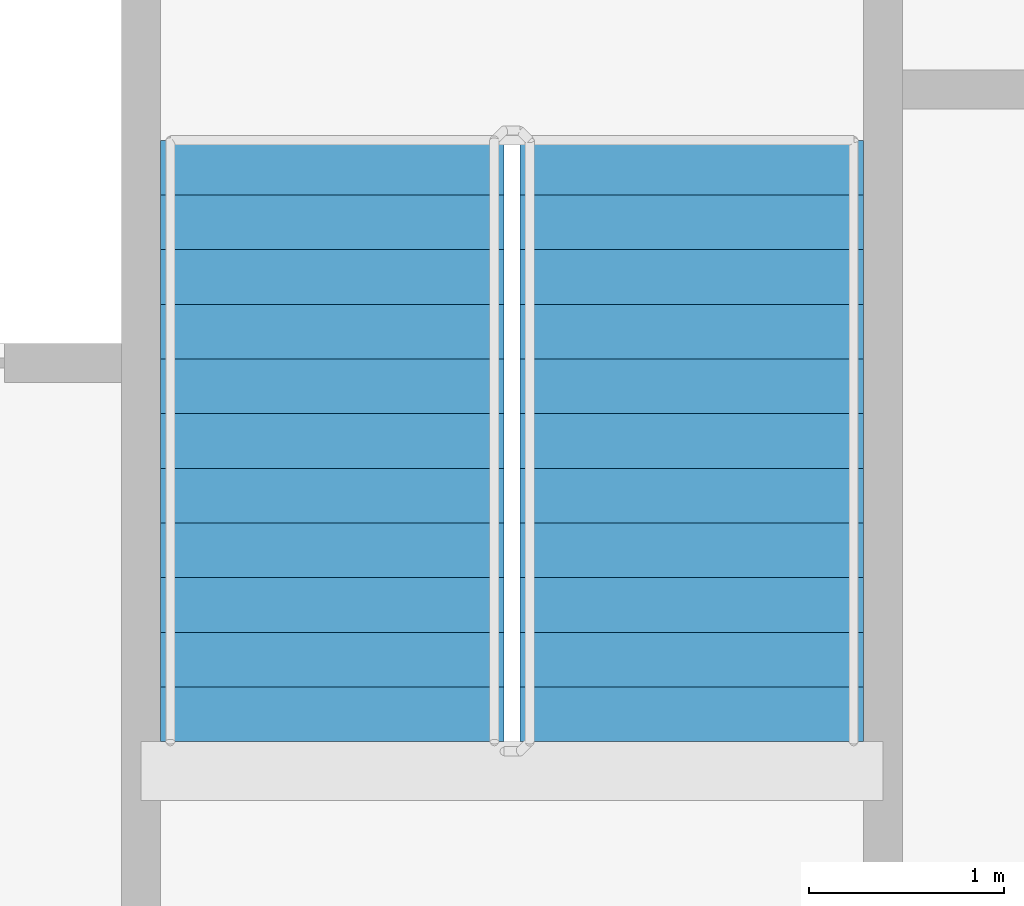
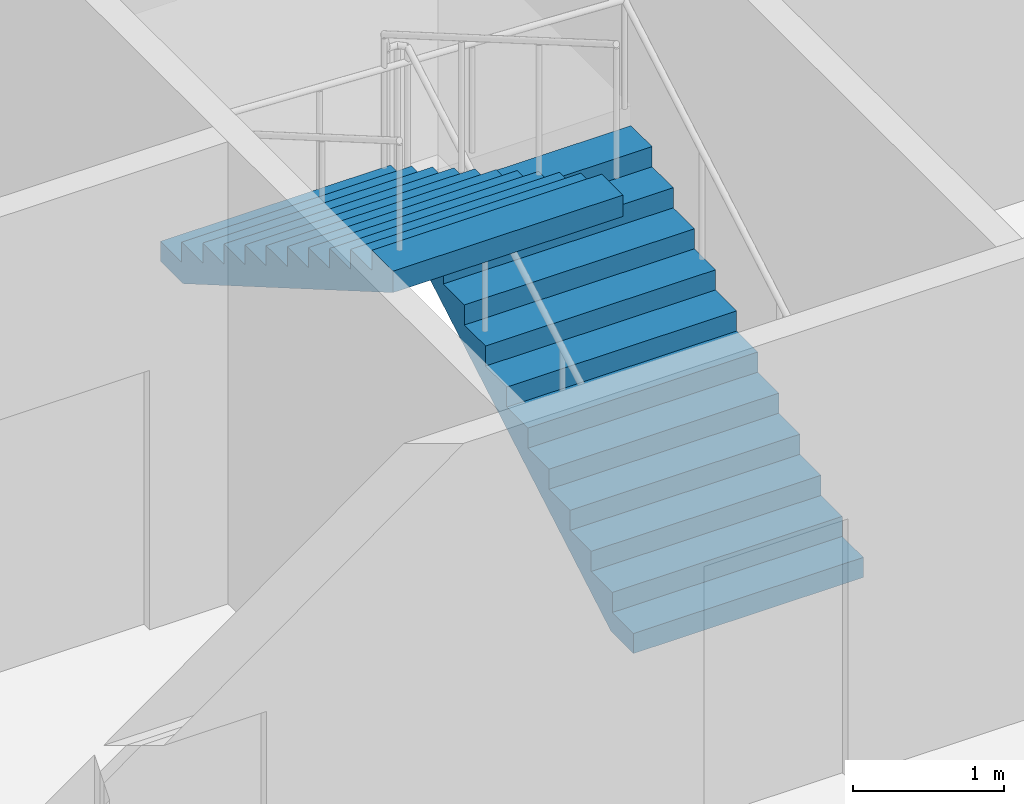
# One storey, part 10 of 15: 2 stair flights, 1 element without a shape of its own.
"""IFC4 building model written with IfcOpenShell, lengths in metres."""

from ifc_helpers import new_model, si_unit, direction, frame, origin, place, context, subcontext, project, spatial, faceted_brep, material, type_object, element, aggregate, save


model = new_model("IFC4")

# Units and contexts
model_context = context("Model", 3, precision=1e-05, world=origin(), true_north=direction((0.0, 1.0)))
body_context = subcontext(model_context, "Body", "Model", "MODEL_VIEW")
ifc_project = project(units=[si_unit("LENGTHUNIT", "METRE"), si_unit("AREAUNIT", "SQUARE_METRE"), si_unit("VOLUMEUNIT", "CUBIC_METRE"), si_unit("PLANEANGLEUNIT", "RADIAN"), si_unit("MASSUNIT", "GRAM", prefix="KILO")], contexts=[model_context])

# Site, building, storey
site_placement = place(None, origin())
site = spatial("IfcSite", under=ifc_project, at=site_placement, CompositionType="ELEMENT")
building_placement = place(site_placement, origin())
building = spatial("IfcBuilding", under=site, at=building_placement, Name="Tarsis Ring Headquarters", CompositionType="ELEMENT")
storey_placement = place(building_placement, frame((0.0, 0.0, 204.300048828125)))
storey = spatial("IfcBuildingStorey", under=building, at=storey_placement, Name="L47", CompositionType="ELEMENT", Elevation=204.300048828125)

# Stair, stair flights
ifc_material_1 = material(Name="Core stair 1760")
stair_type = type_object("IfcStairType", Name="Core stair 1760", PredefinedType="HALF_TURN_STAIR", material=ifc_material_1)
stair_placement = place(storey_placement, origin())
stair = element("IfcStair", 1, at=stair_placement, inside=storey, type_object=stair_type, Name="L47 Exit stair B", PredefinedType="HALF_TURN_STAIR")
ifc_material_2 = material(Name="Concrete C40/50", Category="concrete")
stair_flight_type = type_object("IfcStairFlightType", Name="Core stair flight 1760", PredefinedType="STRAIGHT", material=ifc_material_2)
stair_flight_1_placement = place(storey_placement, frame((5.419921875, 3.659912109375, 0.0), z_axis=(0.0, 0.0, 1.0), x_axis=(0.0, 1.0, 0.0)))
stair_flight_1 = element("IfcStairFlight", 2, at=stair_flight_1_placement, type_object=stair_flight_type, Name="Stair ST2 flight 1", NumberOfRisers=12, NumberOfTreads=11, PredefinedType="STRAIGHT", RiserHeight=0.1625, TreadLength=0.28, context=body_context, shape_type="Brep", body=[
    faceted_brep([(0.0, 0.8798828125, 0.0), (0.0, 0.8798828125, 0.16259765625), (0.280029296875, 0.8798828125, 0.16259765625), (0.280029296875, 0.8798828125, 0.324951171875), (0.56005859375, 0.8798828125, 0.324951171875), (0.56005859375, 0.8798828125, 0.487548828125), (0.840087890625, 0.8798828125, 0.487548828125), (0.840087890625, 0.8798828125, 0.64990234375), (1.1201171875, 0.8798828125, 0.64990234375), (1.1201171875, 0.8798828125, 0.8125), (1.39990234375, 0.8798828125, 0.8125), (1.39990234375, 0.8798828125, 0.97509765625), (1.679931640625, 0.8798828125, 0.97509765625), (1.679931640625, 0.8798828125, 1.137451171875), (1.9599609375, 0.8798828125, 1.137451171875), (1.9599609375, 0.8798828125, 1.300048828125), (2.239990234375, 0.8798828125, 1.300048828125), (2.239990234375, 0.8798828125, 1.46240234375), (2.52001953125, 0.8798828125, 1.46240234375), (2.52001953125, 0.8798828125, 1.625), (2.800048828125, 0.8798828125, 1.625), (2.800048828125, 0.8798828125, 1.78759765625), (3.080078125, 0.8798828125, 1.78759765625), (3.080078125, 0.8798828125, 1.6142578125), (0.298583984375, 0.8798828125, 0.0), (0.298583984375, -0.8798828125, 0.0), (3.080078125, -0.8798828125, 1.6142578125), (3.080078125, -0.8798828125, 1.78759765625), (2.800048828125, -0.8798828125, 1.78759765625), (2.800048828125, -0.8798828125, 1.625), (2.52001953125, -0.8798828125, 1.625), (2.52001953125, -0.8798828125, 1.46240234375), (2.239990234375, -0.8798828125, 1.46240234375), (2.239990234375, -0.8798828125, 1.300048828125), (1.9599609375, -0.8798828125, 1.300048828125), (1.9599609375, -0.8798828125, 1.137451171875), (1.679931640625, -0.8798828125, 1.137451171875), (1.679931640625, -0.8798828125, 0.97509765625), (1.39990234375, -0.8798828125, 0.97509765625), (1.39990234375, -0.8798828125, 0.8125), (1.1201171875, -0.8798828125, 0.8125), (1.1201171875, -0.8798828125, 0.64990234375), (0.840087890625, -0.8798828125, 0.64990234375), (0.840087890625, -0.8798828125, 0.487548828125), (0.56005859375, -0.8798828125, 0.487548828125), (0.56005859375, -0.8798828125, 0.324951171875), (0.280029296875, -0.8798828125, 0.324951171875), (0.280029296875, -0.8798828125, 0.16259765625), (0.0, -0.8798828125, 0.16259765625), (0.0, -0.8798828125, 0.0), (0.0, -0.43994140625, 0.16259765625), (0.0, -0.43994140625, 0.0), (0.0, 0.0, 0.16259765625), (0.0, 0.0, 0.0), (0.0, 0.43994140625, 0.16259765625), (0.0, 0.43994140625, 0.0), (0.280029296875, -0.43994140625, 0.16259765625), (0.280029296875, 0.0, 0.16259765625), (0.280029296875, 0.43994140625, 0.16259765625), (0.280029296875, -0.43994140625, 0.324951171875), (0.280029296875, 0.0, 0.324951171875), (0.280029296875, 0.43994140625, 0.324951171875), (0.56005859375, -0.43994140625, 0.324951171875), (0.56005859375, 0.0, 0.324951171875), (0.56005859375, 0.43994140625, 0.324951171875), (0.56005859375, -0.43994140625, 0.487548828125), (0.56005859375, 0.0, 0.487548828125), (0.56005859375, 0.43994140625, 0.487548828125), (0.840087890625, -0.43994140625, 0.487548828125), (0.840087890625, 0.0, 0.487548828125), (0.840087890625, 0.43994140625, 0.487548828125), (0.840087890625, -0.43994140625, 0.64990234375), (0.840087890625, 0.0, 0.64990234375), (0.840087890625, 0.43994140625, 0.64990234375), (1.1201171875, -0.43994140625, 0.64990234375), (1.1201171875, 0.0, 0.64990234375), (1.1201171875, 0.43994140625, 0.64990234375), (1.1201171875, -0.43994140625, 0.8125), (1.1201171875, 0.0, 0.8125), (1.1201171875, 0.43994140625, 0.8125), (1.39990234375, -0.43994140625, 0.8125), (1.39990234375, 0.0, 0.8125), (1.39990234375, 0.43994140625, 0.8125), (1.39990234375, -0.43994140625, 0.97509765625), (1.39990234375, 0.0, 0.97509765625), (1.39990234375, 0.43994140625, 0.97509765625), (1.679931640625, -0.43994140625, 0.97509765625), (1.679931640625, 0.0, 0.97509765625), (1.679931640625, 0.43994140625, 0.97509765625), (1.679931640625, -0.43994140625, 1.137451171875), (1.679931640625, 0.0, 1.137451171875), (1.679931640625, 0.43994140625, 1.137451171875), (1.9599609375, -0.43994140625, 1.137451171875), (1.9599609375, 0.0, 1.137451171875), (1.9599609375, 0.43994140625, 1.137451171875), (1.9599609375, -0.43994140625, 1.300048828125), (1.9599609375, 0.0, 1.300048828125), (1.9599609375, 0.43994140625, 1.300048828125), (2.239990234375, -0.43994140625, 1.300048828125), (2.239990234375, 0.0, 1.300048828125), (2.239990234375, 0.43994140625, 1.300048828125), (2.239990234375, -0.43994140625, 1.46240234375), (2.239990234375, 0.0, 1.46240234375), (2.239990234375, 0.43994140625, 1.46240234375), (2.52001953125, -0.43994140625, 1.46240234375), (2.52001953125, 0.0, 1.46240234375), (2.52001953125, 0.43994140625, 1.46240234375), (2.52001953125, -0.43994140625, 1.625), (2.52001953125, 0.0, 1.625), (2.52001953125, 0.43994140625, 1.625), (2.800048828125, -0.43994140625, 1.625), (2.800048828125, 0.0, 1.625), (2.800048828125, 0.43994140625, 1.625), (2.800048828125, -0.43994140625, 1.78759765625), (2.800048828125, 0.0, 1.78759765625), (2.800048828125, 0.43994140625, 1.78759765625), (3.080078125, -0.43994140625, 1.78759765625), (3.080078125, 0.0, 1.78759765625), (3.080078125, 0.43994140625, 1.78759765625), (3.080078125, -0.43994140625, 1.6142578125), (3.080078125, 0.0, 1.6142578125), (3.080078125, 0.43994140625, 1.6142578125), (0.298583984375, -0.43994140625, 0.0), (0.298583984375, 0.0, 0.0), (0.298583984375, 0.43994140625, 0.0)], [[[0, 1, 2, 3, 4, 5, 6, 7, 8, 9, 10, 11, 12, 13, 14, 15, 16, 17, 18, 19, 20, 21, 22, 23, 24]], [[25, 26, 27, 28, 29, 30, 31, 32, 33, 34, 35, 36, 37, 38, 39, 40, 41, 42, 43, 44, 45, 46, 47, 48, 49]], [[49, 48, 50, 51]], [[51, 50, 52, 53]], [[53, 52, 54, 55]], [[55, 54, 1, 0]], [[48, 47, 56, 50]], [[50, 56, 57, 52]], [[52, 57, 58, 54]], [[54, 58, 2, 1]], [[47, 46, 59, 56]], [[56, 59, 60, 57]], [[57, 60, 61, 58]], [[58, 61, 3, 2]], [[46, 45, 62, 59]], [[59, 62, 63, 60]], [[60, 63, 64, 61]], [[61, 64, 4, 3]], [[45, 44, 65, 62]], [[62, 65, 66, 63]], [[63, 66, 67, 64]], [[64, 67, 5, 4]], [[44, 43, 68, 65]], [[65, 68, 69, 66]], [[66, 69, 70, 67]], [[67, 70, 6, 5]], [[43, 42, 71, 68]], [[68, 71, 72, 69]], [[69, 72, 73, 70]], [[70, 73, 7, 6]], [[42, 41, 74, 71]], [[71, 74, 75, 72]], [[72, 75, 76, 73]], [[73, 76, 8, 7]], [[41, 40, 77, 74]], [[74, 77, 78, 75]], [[75, 78, 79, 76]], [[76, 79, 9, 8]], [[40, 39, 80, 77]], [[77, 80, 81, 78]], [[78, 81, 82, 79]], [[79, 82, 10, 9]], [[39, 38, 83, 80]], [[80, 83, 84, 81]], [[81, 84, 85, 82]], [[82, 85, 11, 10]], [[38, 37, 86, 83]], [[83, 86, 87, 84]], [[84, 87, 88, 85]], [[85, 88, 12, 11]], [[37, 36, 89, 86]], [[86, 89, 90, 87]], [[87, 90, 91, 88]], [[88, 91, 13, 12]], [[36, 35, 92, 89]], [[89, 92, 93, 90]], [[90, 93, 94, 91]], [[91, 94, 14, 13]], [[35, 34, 95, 92]], [[92, 95, 96, 93]], [[93, 96, 97, 94]], [[94, 97, 15, 14]], [[34, 33, 98, 95]], [[95, 98, 99, 96]], [[96, 99, 100, 97]], [[97, 100, 16, 15]], [[33, 32, 101, 98]], [[98, 101, 102, 99]], [[99, 102, 103, 100]], [[100, 103, 17, 16]], [[32, 31, 104, 101]], [[101, 104, 105, 102]], [[102, 105, 106, 103]], [[103, 106, 18, 17]], [[31, 30, 107, 104]], [[104, 107, 108, 105]], [[105, 108, 109, 106]], [[106, 109, 19, 18]], [[30, 29, 110, 107]], [[107, 110, 111, 108]], [[108, 111, 112, 109]], [[109, 112, 20, 19]], [[29, 28, 113, 110]], [[110, 113, 114, 111]], [[111, 114, 115, 112]], [[112, 115, 21, 20]], [[28, 27, 116, 113]], [[113, 116, 117, 114]], [[114, 117, 118, 115]], [[115, 118, 22, 21]], [[27, 26, 119, 116]], [[116, 119, 120, 117]], [[117, 120, 121, 118]], [[118, 121, 23, 22]], [[26, 25, 122, 119]], [[119, 122, 123, 120]], [[120, 123, 124, 121]], [[121, 124, 24, 23]], [[25, 49, 51, 122]], [[122, 51, 53, 123]], [[123, 53, 55, 124]], [[124, 55, 0, 24]]]),
])
stair_flight_2_placement = place(storey_placement, frame((3.580078125, 6.739990234375, 1.949951171875), z_axis=(0.0, 0.0, 1.0), x_axis=(0.0, -1.0, 0.0)))
stair_flight_2 = element("IfcStairFlight", 3, at=stair_flight_2_placement, type_object=stair_flight_type, Name="Stair ST2 flight 2", NumberOfRisers=12, NumberOfTreads=11, PredefinedType="STRAIGHT", RiserHeight=0.1625, TreadLength=0.28, context=body_context, shape_type="Brep", body=[
    faceted_brep([(0.0, 0.8798828125, 0.0), (0.0, 0.8798828125, 0.16259765625), (0.280029296875, 0.8798828125, 0.16259765625), (0.280029296875, 0.8798828125, 0.324951171875), (0.56005859375, 0.8798828125, 0.324951171875), (0.56005859375, 0.8798828125, 0.487548828125), (0.840087890625, 0.8798828125, 0.487548828125), (0.840087890625, 0.8798828125, 0.64990234375), (1.1201171875, 0.8798828125, 0.64990234375), (1.1201171875, 0.8798828125, 0.8125), (1.39990234375, 0.8798828125, 0.8125), (1.39990234375, 0.8798828125, 0.97509765625), (1.679931640625, 0.8798828125, 0.97509765625), (1.679931640625, 0.8798828125, 1.137451171875), (1.9599609375, 0.8798828125, 1.137451171875), (1.9599609375, 0.8798828125, 1.300048828125), (2.239990234375, 0.8798828125, 1.300048828125), (2.239990234375, 0.8798828125, 1.46240234375), (2.52001953125, 0.8798828125, 1.46240234375), (2.52001953125, 0.8798828125, 1.625), (2.800048828125, 0.8798828125, 1.625), (2.800048828125, 0.8798828125, 1.78759765625), (3.080078125, 0.8798828125, 1.78759765625), (3.080078125, 0.8798828125, 1.6142578125), (0.298583984375, 0.8798828125, 0.0), (0.298583984375, -0.8798828125, 0.0), (3.080078125, -0.8798828125, 1.6142578125), (3.080078125, -0.8798828125, 1.78759765625), (2.800048828125, -0.8798828125, 1.78759765625), (2.800048828125, -0.8798828125, 1.625), (2.52001953125, -0.8798828125, 1.625), (2.52001953125, -0.8798828125, 1.46240234375), (2.239990234375, -0.8798828125, 1.46240234375), (2.239990234375, -0.8798828125, 1.300048828125), (1.9599609375, -0.8798828125, 1.300048828125), (1.9599609375, -0.8798828125, 1.137451171875), (1.679931640625, -0.8798828125, 1.137451171875), (1.679931640625, -0.8798828125, 0.97509765625), (1.39990234375, -0.8798828125, 0.97509765625), (1.39990234375, -0.8798828125, 0.8125), (1.1201171875, -0.8798828125, 0.8125), (1.1201171875, -0.8798828125, 0.64990234375), (0.840087890625, -0.8798828125, 0.64990234375), (0.840087890625, -0.8798828125, 0.487548828125), (0.56005859375, -0.8798828125, 0.487548828125), (0.56005859375, -0.8798828125, 0.324951171875), (0.280029296875, -0.8798828125, 0.324951171875), (0.280029296875, -0.8798828125, 0.16259765625), (0.0, -0.8798828125, 0.16259765625), (0.0, -0.8798828125, 0.0), (0.0, -0.43994140625, 0.16259765625), (0.0, -0.43994140625, 0.0), (0.0, 0.0, 0.16259765625), (0.0, 0.0, 0.0), (0.0, 0.43994140625, 0.16259765625), (0.0, 0.43994140625, 0.0), (0.280029296875, -0.43994140625, 0.16259765625), (0.280029296875, 0.0, 0.16259765625), (0.280029296875, 0.43994140625, 0.16259765625), (0.280029296875, -0.43994140625, 0.324951171875), (0.280029296875, 0.0, 0.324951171875), (0.280029296875, 0.43994140625, 0.324951171875), (0.56005859375, -0.43994140625, 0.324951171875), (0.56005859375, 0.0, 0.324951171875), (0.56005859375, 0.43994140625, 0.324951171875), (0.56005859375, -0.43994140625, 0.487548828125), (0.56005859375, 0.0, 0.487548828125), (0.56005859375, 0.43994140625, 0.487548828125), (0.840087890625, -0.43994140625, 0.487548828125), (0.840087890625, 0.0, 0.487548828125), (0.840087890625, 0.43994140625, 0.487548828125), (0.840087890625, -0.43994140625, 0.64990234375), (0.840087890625, 0.0, 0.64990234375), (0.840087890625, 0.43994140625, 0.64990234375), (1.1201171875, -0.43994140625, 0.64990234375), (1.1201171875, 0.0, 0.64990234375), (1.1201171875, 0.43994140625, 0.64990234375), (1.1201171875, -0.43994140625, 0.8125), (1.1201171875, 0.0, 0.8125), (1.1201171875, 0.43994140625, 0.8125), (1.39990234375, -0.43994140625, 0.8125), (1.39990234375, 0.0, 0.8125), (1.39990234375, 0.43994140625, 0.8125), (1.39990234375, -0.43994140625, 0.97509765625), (1.39990234375, 0.0, 0.97509765625), (1.39990234375, 0.43994140625, 0.97509765625), (1.679931640625, -0.43994140625, 0.97509765625), (1.679931640625, 0.0, 0.97509765625), (1.679931640625, 0.43994140625, 0.97509765625), (1.679931640625, -0.43994140625, 1.137451171875), (1.679931640625, 0.0, 1.137451171875), (1.679931640625, 0.43994140625, 1.137451171875), (1.9599609375, -0.43994140625, 1.137451171875), (1.9599609375, 0.0, 1.137451171875), (1.9599609375, 0.43994140625, 1.137451171875), (1.9599609375, -0.43994140625, 1.300048828125), (1.9599609375, 0.0, 1.300048828125), (1.9599609375, 0.43994140625, 1.300048828125), (2.239990234375, -0.43994140625, 1.300048828125), (2.239990234375, 0.0, 1.300048828125), (2.239990234375, 0.43994140625, 1.300048828125), (2.239990234375, -0.43994140625, 1.46240234375), (2.239990234375, 0.0, 1.46240234375), (2.239990234375, 0.43994140625, 1.46240234375), (2.52001953125, -0.43994140625, 1.46240234375), (2.52001953125, 0.0, 1.46240234375), (2.52001953125, 0.43994140625, 1.46240234375), (2.52001953125, -0.43994140625, 1.625), (2.52001953125, 0.0, 1.625), (2.52001953125, 0.43994140625, 1.625), (2.800048828125, -0.43994140625, 1.625), (2.800048828125, 0.0, 1.625), (2.800048828125, 0.43994140625, 1.625), (2.800048828125, -0.43994140625, 1.78759765625), (2.800048828125, 0.0, 1.78759765625), (2.800048828125, 0.43994140625, 1.78759765625), (3.080078125, -0.43994140625, 1.78759765625), (3.080078125, 0.0, 1.78759765625), (3.080078125, 0.43994140625, 1.78759765625), (3.080078125, -0.43994140625, 1.6142578125), (3.080078125, 0.0, 1.6142578125), (3.080078125, 0.43994140625, 1.6142578125), (0.298583984375, -0.43994140625, 0.0), (0.298583984375, 0.0, 0.0), (0.298583984375, 0.43994140625, 0.0)], [[[0, 1, 2, 3, 4, 5, 6, 7, 8, 9, 10, 11, 12, 13, 14, 15, 16, 17, 18, 19, 20, 21, 22, 23, 24]], [[25, 26, 27, 28, 29, 30, 31, 32, 33, 34, 35, 36, 37, 38, 39, 40, 41, 42, 43, 44, 45, 46, 47, 48, 49]], [[49, 48, 50, 51]], [[51, 50, 52, 53]], [[53, 52, 54, 55]], [[55, 54, 1, 0]], [[48, 47, 56, 50]], [[50, 56, 57, 52]], [[52, 57, 58, 54]], [[54, 58, 2, 1]], [[47, 46, 59, 56]], [[56, 59, 60, 57]], [[57, 60, 61, 58]], [[58, 61, 3, 2]], [[46, 45, 62, 59]], [[59, 62, 63, 60]], [[60, 63, 64, 61]], [[61, 64, 4, 3]], [[45, 44, 65, 62]], [[62, 65, 66, 63]], [[63, 66, 67, 64]], [[64, 67, 5, 4]], [[44, 43, 68, 65]], [[65, 68, 69, 66]], [[66, 69, 70, 67]], [[67, 70, 6, 5]], [[43, 42, 71, 68]], [[68, 71, 72, 69]], [[69, 72, 73, 70]], [[70, 73, 7, 6]], [[42, 41, 74, 71]], [[71, 74, 75, 72]], [[72, 75, 76, 73]], [[73, 76, 8, 7]], [[41, 40, 77, 74]], [[74, 77, 78, 75]], [[75, 78, 79, 76]], [[76, 79, 9, 8]], [[40, 39, 80, 77]], [[77, 80, 81, 78]], [[78, 81, 82, 79]], [[79, 82, 10, 9]], [[39, 38, 83, 80]], [[80, 83, 84, 81]], [[81, 84, 85, 82]], [[82, 85, 11, 10]], [[38, 37, 86, 83]], [[83, 86, 87, 84]], [[84, 87, 88, 85]], [[85, 88, 12, 11]], [[37, 36, 89, 86]], [[86, 89, 90, 87]], [[87, 90, 91, 88]], [[88, 91, 13, 12]], [[36, 35, 92, 89]], [[89, 92, 93, 90]], [[90, 93, 94, 91]], [[91, 94, 14, 13]], [[35, 34, 95, 92]], [[92, 95, 96, 93]], [[93, 96, 97, 94]], [[94, 97, 15, 14]], [[34, 33, 98, 95]], [[95, 98, 99, 96]], [[96, 99, 100, 97]], [[97, 100, 16, 15]], [[33, 32, 101, 98]], [[98, 101, 102, 99]], [[99, 102, 103, 100]], [[100, 103, 17, 16]], [[32, 31, 104, 101]], [[101, 104, 105, 102]], [[102, 105, 106, 103]], [[103, 106, 18, 17]], [[31, 30, 107, 104]], [[104, 107, 108, 105]], [[105, 108, 109, 106]], [[106, 109, 19, 18]], [[30, 29, 110, 107]], [[107, 110, 111, 108]], [[108, 111, 112, 109]], [[109, 112, 20, 19]], [[29, 28, 113, 110]], [[110, 113, 114, 111]], [[111, 114, 115, 112]], [[112, 115, 21, 20]], [[28, 27, 116, 113]], [[113, 116, 117, 114]], [[114, 117, 118, 115]], [[115, 118, 22, 21]], [[27, 26, 119, 116]], [[116, 119, 120, 117]], [[117, 120, 121, 118]], [[118, 121, 23, 22]], [[26, 25, 122, 119]], [[119, 122, 123, 120]], [[120, 123, 124, 121]], [[121, 124, 24, 23]], [[25, 49, 51, 122]], [[122, 51, 53, 123]], [[123, 53, 55, 124]], [[124, 55, 0, 24]]]),
])
aggregate(stair, [stair_flight_1, stair_flight_2])

save(model, "model.ifc")
